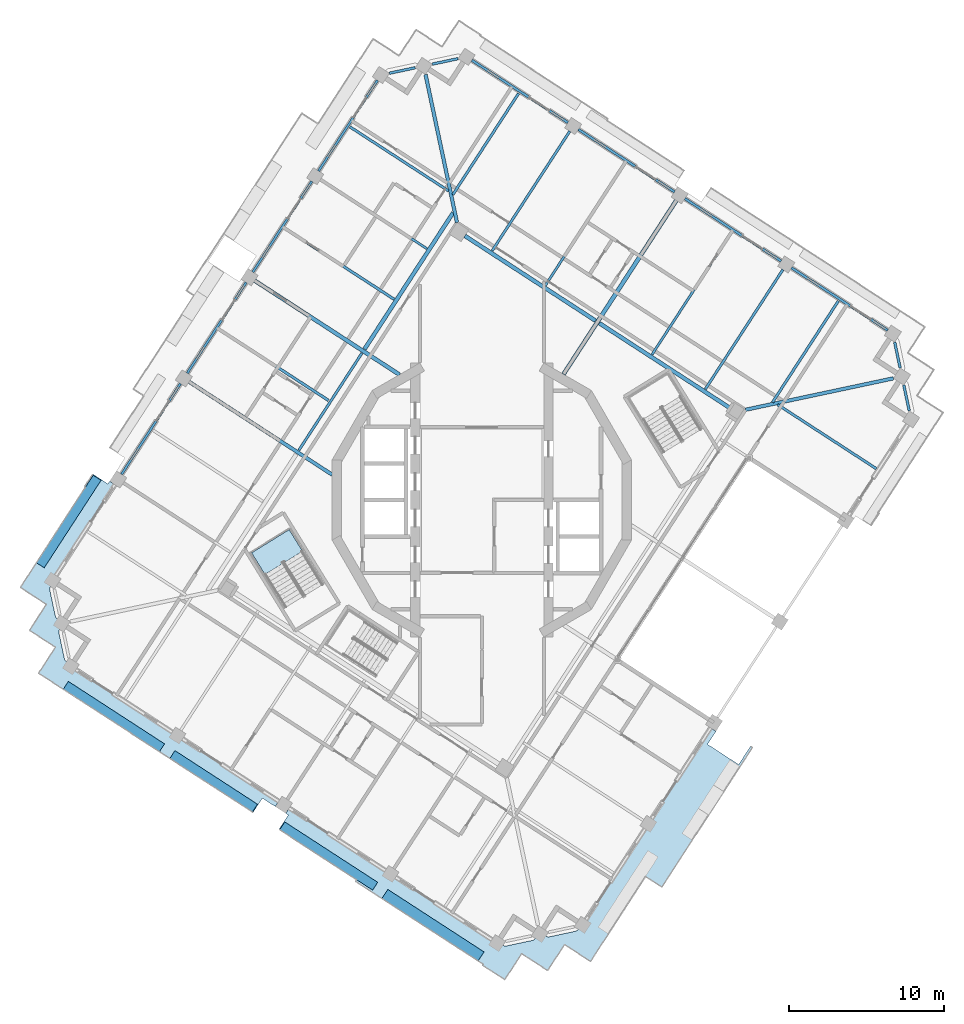
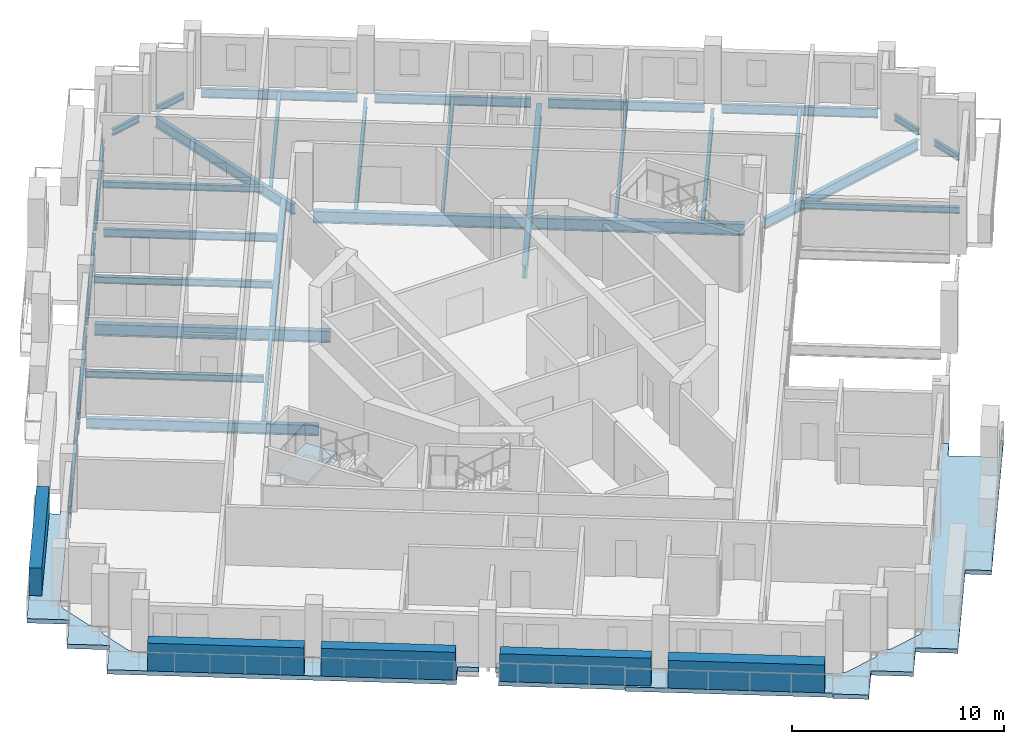
# One storey, part 3 of 17: 32 beams, 5 plates, 3 slabs, 1 element without a shape of its own.
"""IFC4 building model written with IfcOpenShell, lengths in metres."""

from ifc_helpers import new_model, si_unit, direction, frame, origin, origin_2d, place, context, subcontext, project, spatial, polyline, rectangle, i_section, outline, extrude, material, layer, layer_set, material_profile, profile_set, type_object, element, aggregate, save


model = new_model("IFC4")

# Units and contexts
model_context = context("Model", 3, precision=1e-05, world=origin(), true_north=direction((0.0, 1.0)))
body_context = subcontext(model_context, "Body", "Model", "MODEL_VIEW")
ifc_project = project(units=[si_unit("LENGTHUNIT", "METRE"), si_unit("AREAUNIT", "SQUARE_METRE"), si_unit("VOLUMEUNIT", "CUBIC_METRE"), si_unit("PLANEANGLEUNIT", "RADIAN"), si_unit("MASSUNIT", "GRAM", prefix="KILO")], contexts=[model_context])

# Site, building, storey
site_placement = place(None, origin())
site = spatial("IfcSite", under=ifc_project, at=site_placement, CompositionType="ELEMENT")
building_placement = place(site_placement, origin())
building = spatial("IfcBuilding", under=site, at=building_placement, Name="Cantera Rosa Tower", CompositionType="ELEMENT")
storey_placement = place(building_placement, frame((0.0, 0.0, 268.5)))
storey = spatial("IfcBuildingStorey", under=building, at=storey_placement, Name="L60", CompositionType="ELEMENT", Elevation=268.5)

# Beams
ifc_material_1 = material(Name="Steel ASTM A992 (Fy 345 MPa)", Category="steel")
ifc_material_profile_1 = material_profile(ifc_material_1, i_section(OverallWidth=0.154052734375, OverallDepth=0.4599609375, WebThickness=0.009033203125, FlangeThickness=0.015380859375, FilletRadius=0.01025390625, at=origin_2d()), Name="W460X68")
ifc_profile_set_1 = profile_set([ifc_material_profile_1], Name="Steel ASTM A992 (Fy 345 MPa)")
beam_type_1 = type_object("IfcBeamType", Name="STEEL BEAM W460X68", PredefinedType="BEAM", material=ifc_profile_set_1)
beam_1_placement = place(storey_placement, frame((-10.41748046875, 20.68017578125, -0.47998046875), z_axis=(0.838672777751, -0.544635632198, 0.0), x_axis=(0.544635632198, 0.838672777751, 0.0)))
element("IfcBeam", 1, at=beam_1_placement, inside=storey, type_object=beam_type_1, Name="G-Z5-04 L60", PredefinedType="BEAM", context=body_context, shape_type="SweptSolid", body=[
    extrude(i_section(OverallWidth=0.154052734375, OverallDepth=0.4599609375, WebThickness=0.009033203125, FlangeThickness=0.015380859375, FilletRadius=0.01025390625, at=origin_2d()), origin(), (0.0, 0.0, 1.0), 8.2001953125),
])
ifc_material_2 = material(Name="Steel ASTM A992 (Fy 345 MPa)", Category="steel")
ifc_material_profile_2 = material_profile(ifc_material_2, i_section(OverallWidth=0.166015625, OverallDepth=0.528076171875, WebThickness=0.009765625, FlangeThickness=0.013671875, FilletRadius=0.0126953125, at=origin_2d()), Name="W530X74")
ifc_profile_set_2 = profile_set([ifc_material_profile_2], Name="Steel ASTM A992 (Fy 345 MPa)")
beam_type_2 = type_object("IfcBeamType", Name="STEEL BEAM W530X74", PredefinedType="BEAM", material=ifc_profile_set_2)
beam_2_placement = place(storey_placement, frame((19.430908203125, 14.865234375, -0.513916015625), z_axis=(-0.544634776066, -0.838673333724, 0.0), x_axis=(0.838673333724, -0.544634776066, 0.0)))
element("IfcBeam", 2, at=beam_2_placement, inside=storey, type_object=beam_type_2, Name="G-Z5-01 L60", PredefinedType="BEAM", context=body_context, shape_type="SweptSolid", body=[
    extrude(i_section(OverallWidth=0.166015625, OverallDepth=0.528076171875, WebThickness=0.009765625, FlangeThickness=0.013671875, FilletRadius=0.0126953125, at=origin_2d()), origin(), (0.0, 0.0, 1.0), 9.19970703125),
])
beam_3_placement = place(storey_placement, frame((5.6767578125, 23.79736328125, -0.513916015625), z_axis=(-0.544622654601, -0.838681205283, 0.0), x_axis=(0.838681205283, -0.544622654601, 0.0)))
element("IfcBeam", 3, at=beam_3_placement, inside=storey, type_object=beam_type_2, Name="G-Z5-03 L60", PredefinedType="BEAM", context=body_context, shape_type="SweptSolid", body=[
    extrude(i_section(OverallWidth=0.166015625, OverallDepth=0.528076171875, WebThickness=0.009765625, FlangeThickness=0.013671875, FilletRadius=0.0126953125, at=origin_2d()), origin(), (0.0, 0.0, 1.0), 9.199951171875),
])
beam_4_placement = place(storey_placement, frame((-11.807373046875, 3.20849609375, -0.513916015625), z_axis=(0.544626910795, 0.838678441381, 0.0), x_axis=(-0.838678441381, 0.544626910795, 0.0)))
element("IfcBeam", 4, at=beam_4_placement, inside=storey, type_object=beam_type_2, Name="RB-Z5-02 L60", PredefinedType="BEAM", context=body_context, shape_type="SweptSolid", body=[
    extrude(i_section(OverallWidth=0.166015625, OverallDepth=0.528076171875, WebThickness=0.009765625, FlangeThickness=0.013671875, FilletRadius=0.0126953125, at=origin_2d()), origin(), (0.0, 0.0, 1.0), 7.479736328125),
])
ifc_material_3 = material(Name="Steel ASTM A992 (Fy 345 MPa)", Category="steel")
ifc_material_profile_3 = material_profile(ifc_material_3, i_section(OverallWidth=0.22802734375, OverallDepth=0.60205078125, WebThickness=0.010498046875, FlangeThickness=0.014892578125, FilletRadius=0.0126953125, at=origin_2d()), Name="W610X101")
ifc_profile_set_3 = profile_set([ifc_material_profile_3], Name="Steel ASTM A992 (Fy 345 MPa)")
beam_type_3 = type_object("IfcBeamType", Name="STEEL BEAM W610X101", PredefinedType="BEAM", material=ifc_profile_set_3)
for number, where, z_axis, x_axis, name in (
    (5, (-3.63134765625, 27.45751953125, -0.551025390625), (0.20790902572, -0.978148167214, 0.0), (0.978148167214, 0.20790902572, 0.0), "CB-Z5-01 L60"),
    (6, (26.560791015625, 7.8505859375, -0.551025390625), (-0.978148167214, -0.20790902572, 0.0), (0.20790902572, -0.978148167214, 0.0), "CB-Z5-04 L60"),
):
    element("IfcBeam", number, at=place(storey_placement, frame(where, z_axis=z_axis, x_axis=x_axis)), inside=storey, type_object=beam_type_3, Name=name, PredefinedType="BEAM", context=body_context, shape_type="SweptSolid", body=[
        extrude(i_section(OverallWidth=0.22802734375, OverallDepth=0.60205078125, WebThickness=0.010498046875, FlangeThickness=0.014892578125, FilletRadius=0.0126953125, at=origin_2d()), origin(), (0.0, 0.0, 1.0), 9.758056640625),
    ])
ifc_material_4 = material(Name="Steel ASTM A992 (Fy 345 MPa)", Category="steel")
ifc_material_profile_4 = material_profile(ifc_material_4, i_section(OverallWidth=0.22900390625, OverallDepth=0.612060546875, WebThickness=0.011962890625, FlangeThickness=0.01953125, FilletRadius=0.0126953125, at=origin_2d()), Name="W610X125")
ifc_profile_set_4 = profile_set([ifc_material_profile_4], Name="Steel ASTM A992 (Fy 345 MPa)")
beam_type_4 = type_object("IfcBeamType", Name="STEEL BEAM W610X125", PredefinedType="BEAM", material=ifc_profile_set_4)
beam_5_placement = place(storey_placement, frame((-18.89208984375, 7.63037109375, -0.555908203125), z_axis=(0.838673569952, -0.544634412302, 0.0), x_axis=(0.544634412302, 0.838673569952, 0.0)))
element("IfcBeam", 7, at=beam_5_placement, inside=storey, type_object=beam_type_4, Name="G-Z5-06 L60", PredefinedType="BEAM", context=body_context, shape_type="SweptSolid", body=[
    extrude(i_section(OverallWidth=0.22900390625, OverallDepth=0.612060546875, WebThickness=0.011962890625, FlangeThickness=0.01953125, FilletRadius=0.0126953125, at=origin_2d()), origin(), (0.0, 0.0, 1.0), 11.009033203125),
])
ifc_material_5 = material(Name="Steel ASTM A992 (Fy 345 MPa)", Category="steel")
ifc_material_profile_5 = material_profile(ifc_material_5, i_section(OverallWidth=0.25390625, OverallDepth=0.677978515625, WebThickness=0.01171875, FlangeThickness=0.016357421875, FilletRadius=0.01513671875, at=origin_2d()), Name="W690X125")
ifc_profile_set_5 = profile_set([ifc_material_profile_5], Name="Steel ASTM A992 (Fy 345 MPa)")
beam_type_5 = type_object("IfcBeamType", Name="STEEL BEAM W690X125", PredefinedType="BEAM", material=ifc_profile_set_5)
beam_6_placement = place(storey_placement, frame((-14.65478515625, 14.1552734375, -0.589111328125), z_axis=(0.838661833747, -0.544652484265, 0.0), x_axis=(0.544652484265, 0.838661833747, 0.0)))
element("IfcBeam", 8, at=beam_6_placement, inside=storey, type_object=beam_type_5, Name="G-Z5-05 L60", PredefinedType="BEAM", context=body_context, shape_type="SweptSolid", body=[
    extrude(i_section(OverallWidth=0.25390625, OverallDepth=0.677978515625, WebThickness=0.01171875, FlangeThickness=0.016357421875, FilletRadius=0.01513671875, at=origin_2d()), origin(), (0.0, 0.0, 1.0), 11.141357421875),
])
beam_7_placement = place(storey_placement, frame((-7.570068359375, 9.733154296875, -0.589111328125), z_axis=(0.544635575355, 0.838672814665, 0.0), x_axis=(-0.838672814665, 0.544635575355, 0.0)))
element("IfcBeam", 9, at=beam_7_placement, inside=storey, type_object=beam_type_5, Name="RB-Z5-03 L60", PredefinedType="BEAM", context=body_context, shape_type="SweptSolid", body=[
    extrude(i_section(OverallWidth=0.25390625, OverallDepth=0.677978515625, WebThickness=0.01171875, FlangeThickness=0.016357421875, FilletRadius=0.01513671875, at=origin_2d()), origin(), (0.0, 0.0, 1.0), 10.510009765625),
])
beam_8_placement = place(storey_placement, frame((16.01611328125, 5.9345703125, -0.589111328125), z_axis=(-0.838672207367, 0.544636510519, 0.0), x_axis=(-0.544636510519, -0.838672207367, 0.0)))
element("IfcBeam", 10, at=beam_8_placement, inside=storey, type_object=beam_type_5, Name="RB-Z5-07 L60", PredefinedType="BEAM", context=body_context, shape_type="SweptSolid", body=[
    extrude(i_section(OverallWidth=0.25390625, OverallDepth=0.677978515625, WebThickness=0.01171875, FlangeThickness=0.016357421875, FilletRadius=0.01513671875, at=origin_2d()), origin(), (0.0, 0.0, 1.0), 10.050048828125),
])
beam_9_placement = place(storey_placement, frame((7.335693359375, 11.571533203125, -0.589111328125), z_axis=(-0.838665001306, 0.544647606792, 0.0), x_axis=(-0.544647606792, -0.838665001306, 0.0)))
element("IfcBeam", 11, at=beam_9_placement, inside=storey, type_object=beam_type_5, Name="RB-Z5-08 L60", PredefinedType="BEAM", context=body_context, shape_type="SweptSolid", body=[
    extrude(i_section(OverallWidth=0.25390625, OverallDepth=0.677978515625, WebThickness=0.01171875, FlangeThickness=0.016357421875, FilletRadius=0.01513671875, at=origin_2d()), origin(), (0.0, 0.0, 1.0), 10.0498046875),
])
ifc_material_6 = material(Name="Steel ASTM A992 (Fy 345 MPa)", Category="steel")
ifc_material_profile_6 = material_profile(ifc_material_6, i_section(OverallWidth=0.26708984375, OverallDepth=0.75390625, WebThickness=0.01318359375, FlangeThickness=0.01708984375, FilletRadius=0.0166015625, at=origin_2d()), Name="W760X147")
ifc_profile_set_6 = profile_set([ifc_material_profile_6], Name="Steel ASTM A992 (Fy 345 MPa)")
beam_type_6 = type_object("IfcBeamType", Name="STEEL BEAM W760X147", PredefinedType="BEAM", material=ifc_profile_set_6)
beam_10_placement = place(storey_placement, frame((12.553955078125, 19.331298828125, -0.626953125), z_axis=(-0.54464061985, -0.838669538739, 0.0), x_axis=(0.838669538739, -0.54464061985, 0.0)))
element("IfcBeam", 12, at=beam_10_placement, inside=storey, type_object=beam_type_6, Name="G-Z5-02 L60", PredefinedType="BEAM", context=body_context, shape_type="SweptSolid", body=[
    extrude(i_section(OverallWidth=0.26708984375, OverallDepth=0.75390625, WebThickness=0.01318359375, FlangeThickness=0.01708984375, FilletRadius=0.0166015625, at=origin_2d()), origin(), (0.0, 0.0, 1.0), 13.37744140625),
])
ifc_material_7 = material(Name="Steel ASTM A992 (Fy 345 MPa)", Category="steel")
ifc_material_profile_7 = material_profile(ifc_material_7, i_section(OverallWidth=0.1708984375, OverallDepth=0.35595703125, WebThickness=0.00732421875, FlangeThickness=0.01171875, FilletRadius=0.010009765625, at=origin_2d()), Name="W360X51")
ifc_profile_set_7 = profile_set([ifc_material_profile_7], Name="Steel ASTM A992 (Fy 345 MPa)")
beam_type_7 = type_object("IfcBeamType", Name="STEEL JOIST W360X51", PredefinedType="JOIST", material=ifc_profile_set_7)
for number, where, z_axis, x_axis, name in (
    (13, (23.005859375, 12.842041015625, -0.427978515625), (-0.544641754757, -0.838668801718, 0.0), (0.838668801718, -0.544641754757, 0.0), "B-Z5-01 L60"),
    (14, (2.37451171875, 26.239990234375, -0.427978515625), (-0.54465605183, -0.838659516851, 0.0), (0.838659516851, -0.54465605183, 0.0), "B-Z5-04 L60"),
):
    element("IfcBeam", number, at=place(storey_placement, frame(where, z_axis=z_axis, x_axis=x_axis)), inside=storey, type_object=beam_type_7, Name=name, PredefinedType="JOIST", context=body_context, shape_type="SweptSolid", body=[
        extrude(i_section(OverallWidth=0.1708984375, OverallDepth=0.35595703125, WebThickness=0.00732421875, FlangeThickness=0.01171875, FilletRadius=0.010009765625, at=origin_2d()), origin(), (0.0, 0.0, 1.0), 7.800048828125),
    ])
beam_11_placement = place(storey_placement, frame((-8.508544921875, 24.07861328125, -0.427978515625), z_axis=(0.838670629323, -0.544638940502, 0.0), x_axis=(0.544638940502, 0.838670629323, 0.0)))
element("IfcBeam", 15, at=beam_11_placement, inside=storey, type_object=beam_type_7, Name="B-Z5-05 L60", PredefinedType="JOIST", context=body_context, shape_type="SweptSolid", body=[
    extrude(i_section(OverallWidth=0.1708984375, OverallDepth=0.35595703125, WebThickness=0.00732421875, FlangeThickness=0.01171875, FilletRadius=0.010009765625, at=origin_2d()), origin(), (0.0, 0.0, 1.0), 7.58984375),
])
beam_12_placement = place(storey_placement, frame((25.457763671875, 2.020751953125, -0.427978515625), z_axis=(-0.838680170462, 0.54462424815, 0.0), x_axis=(-0.54462424815, -0.838680170462, 0.0)))
element("IfcBeam", 16, at=beam_12_placement, inside=storey, type_object=beam_type_7, Name="B-Z5-14 L60", PredefinedType="JOIST", context=body_context, shape_type="SweptSolid", body=[
    extrude(i_section(OverallWidth=0.1708984375, OverallDepth=0.35595703125, WebThickness=0.00732421875, FlangeThickness=0.01171875, FilletRadius=0.010009765625, at=origin_2d()), origin(), (0.0, 0.0, 1.0), 7.590087890625),
])
ifc_material_8 = material(Name="Steel ASTM A992 (Fy 345 MPa)", Category="steel")
ifc_material_profile_8 = material_profile(ifc_material_8, i_section(OverallWidth=0.177978515625, OverallDepth=0.406005859375, WebThickness=0.0078125, FlangeThickness=0.0126953125, FilletRadius=0.01025390625, at=origin_2d()), Name="W410X60")
ifc_profile_set_8 = profile_set([ifc_material_profile_8], Name="Steel ASTM A992 (Fy 345 MPa)")
beam_type_8 = type_object("IfcBeamType", Name="STEEL JOIST W410X60", PredefinedType="JOIST", material=ifc_profile_set_8)
beam_13_placement = place(storey_placement, frame((-12.745849609375, 17.5537109375, -0.452880859375), z_axis=(0.838683812595, -0.5446186395, 0.0), x_axis=(0.5446186395, 0.838683812595, 0.0)))
element("IfcBeam", 17, at=beam_13_placement, inside=storey, type_object=beam_type_8, Name="B-Z5-06 L60", PredefinedType="JOIST", context=body_context, shape_type="SweptSolid", body=[
    extrude(i_section(OverallWidth=0.177978515625, OverallDepth=0.406005859375, WebThickness=0.0078125, FlangeThickness=0.0126953125, FilletRadius=0.01025390625, at=origin_2d()), origin(), (0.0, 0.0, 1.0), 8.449951171875),
])
beam_14_placement = place(storey_placement, frame((-16.983154296875, 11.029052734375, -0.452880859375), z_axis=(0.838670615657, -0.544638961546, 0.0), x_axis=(0.544638961546, 0.838670615657, 0.0)))
element("IfcBeam", 18, at=beam_14_placement, inside=storey, type_object=beam_type_8, Name="B-Z5-07 L60", PredefinedType="JOIST", context=body_context, shape_type="SweptSolid", body=[
    extrude(i_section(OverallWidth=0.177978515625, OverallDepth=0.406005859375, WebThickness=0.0078125, FlangeThickness=0.0126953125, FilletRadius=0.01025390625, at=origin_2d()), origin(), (0.0, 0.0, 1.0), 8.4501953125),
])
ifc_material_9 = material(Name="Steel ASTM A992 (Fy 345 MPa)", Category="steel")
ifc_material_profile_9 = material_profile(ifc_material_9, i_section(OverallWidth=0.154052734375, OverallDepth=0.4599609375, WebThickness=0.009033203125, FlangeThickness=0.015380859375, FilletRadius=0.01025390625, at=origin_2d()), Name="W460X68")
ifc_profile_set_9 = profile_set([ifc_material_profile_9], Name="Steel ASTM A992 (Fy 345 MPa)")
beam_type_9 = type_object("IfcBeamType", Name="STEEL JOIST W460X68", PredefinedType="JOIST", material=ifc_profile_set_9)
beam_15_placement = place(storey_placement, frame((16.128662109375, 17.30810546875, -0.47998046875), z_axis=(-0.544644146603, -0.838667248419, 0.0), x_axis=(0.838667248419, -0.544644146603, 0.0)))
element("IfcBeam", 19, at=beam_15_placement, inside=storey, type_object=beam_type_9, Name="B-Z5-02 L60", PredefinedType="JOIST", context=body_context, shape_type="SweptSolid", body=[
    extrude(i_section(OverallWidth=0.154052734375, OverallDepth=0.4599609375, WebThickness=0.009033203125, FlangeThickness=0.015380859375, FilletRadius=0.01025390625, at=origin_2d()), origin(), (0.0, 0.0, 1.0), 9.4501953125),
])
beam_16_placement = place(storey_placement, frame((9.25146484375, 21.77392578125, -0.47998046875), z_axis=(-0.544637775879, -0.838671385636, 0.0), x_axis=(0.838671385636, -0.544637775879, 0.0)))
element("IfcBeam", 20, at=beam_16_placement, inside=storey, type_object=beam_type_9, Name="B-Z5-03 L60", PredefinedType="JOIST", context=body_context, shape_type="SweptSolid", body=[
    extrude(i_section(OverallWidth=0.154052734375, OverallDepth=0.4599609375, WebThickness=0.009033203125, FlangeThickness=0.015380859375, FilletRadius=0.01025390625, at=origin_2d()), origin(), (0.0, 0.0, 1.0), 9.44970703125),
])
ifc_material_10 = material(Name="Steel ASTM A992 (Fy 345 MPa)", Category="steel")
ifc_material_profile_10 = material_profile(ifc_material_10, i_section(OverallWidth=0.1708984375, OverallDepth=0.35595703125, WebThickness=0.00732421875, FlangeThickness=0.01171875, FilletRadius=0.010009765625, at=origin_2d()), Name="W360X51")
ifc_profile_set_10 = profile_set([ifc_material_profile_10], Name="Steel ASTM A992 (Fy 345 MPa)")
beam_type_10 = type_object("IfcBeamType", Name="STEEL SPANDREL BEAM W360X51", PredefinedType="SPANDREL", material=ifc_profile_set_10)
for number, where, z_axis, x_axis, name in (
    (21, (-1.53564453125, 28.481201171875, -0.427978515625), (-0.978158850918, -0.20785875582, 0.0), (0.20785875582, -0.978158850918, 0.0), "EB-Z5-05 L60"),
    (22, (-4.30224609375, 27.893310546875, -0.427978515625), (-0.978129595322, -0.207996381593, 0.0), (0.207996381593, -0.978129595322, 0.0), "EB-Z5-06 L60"),
):
    element("IfcBeam", number, at=place(storey_placement, frame(where, z_axis=z_axis, x_axis=x_axis)), inside=storey, type_object=beam_type_10, Name=name, PredefinedType="SPANDREL", context=body_context, shape_type="SweptSolid", body=[
        extrude(i_section(OverallWidth=0.1708984375, OverallDepth=0.35595703125, WebThickness=0.00732421875, FlangeThickness=0.01171875, FilletRadius=0.010009765625, at=origin_2d()), origin(), (0.0, 0.0, 1.0), 1.697265625),
    ])
for number, where, z_axis, x_axis, name in (
    (23, (27.58447265625, 5.7548828125, -0.427978515625), (-0.207888006632, 0.978152634663, 0.0), (-0.978152634663, -0.207888006632, 0.0), "EB-Z5-25 L60"),
    (24, (26.996337890625, 8.521484375, -0.427978515625), (-0.207888006632, 0.978152634663, 0.0), (-0.978152634663, -0.207888006632, 0.0), "EB-Z5-26 L60"),
):
    element("IfcBeam", number, at=place(storey_placement, frame(where, z_axis=z_axis, x_axis=x_axis)), inside=storey, type_object=beam_type_10, Name=name, PredefinedType="SPANDREL", context=body_context, shape_type="SweptSolid", body=[
        extrude(i_section(OverallWidth=0.1708984375, OverallDepth=0.35595703125, WebThickness=0.00732421875, FlangeThickness=0.01171875, FilletRadius=0.010009765625, at=origin_2d()), origin(), (0.0, 0.0, 1.0), 1.697021484375),
    ])
ifc_material_11 = material(Name="Steel ASTM A992 (Fy 345 MPa)", Category="steel")
ifc_material_profile_11 = material_profile(ifc_material_11, i_section(OverallWidth=0.154052734375, OverallDepth=0.4599609375, WebThickness=0.009033203125, FlangeThickness=0.015380859375, FilletRadius=0.01025390625, at=origin_2d()), Name="W460X68")
ifc_profile_set_11 = profile_set([ifc_material_profile_11], Name="Steel ASTM A992 (Fy 345 MPa)")
beam_type_11 = type_object("IfcBeamType", Name="STEEL SPANDREL BEAM W460X68", PredefinedType="SPANDREL", material=ifc_profile_set_11)
for number, where, z_axis, x_axis, name in (
    (25, (-6.7333984375, 27.08740234375, -0.47998046875), (-0.544651451949, -0.838662504164, 0.0), (0.838662504164, -0.544651451949, 0.0), "EB-Z5-07 L60"),
    (26, (-10.970703125, 20.5625, -0.47998046875), (-0.544651451949, -0.838662504164, 0.0), (0.838662504164, -0.544651451949, 0.0), "EB-Z5-08 L60"),
    (27, (-15.2080078125, 14.03759765625, -0.47998046875), (-0.544651451949, -0.838662504164, 0.0), (0.838662504164, -0.544651451949, 0.0), "EB-Z5-09 L60"),
):
    element("IfcBeam", number, at=place(storey_placement, frame(where, z_axis=z_axis, x_axis=x_axis)), inside=storey, type_object=beam_type_11, Name=name, PredefinedType="SPANDREL", context=body_context, shape_type="SweptSolid", body=[
        extrude(i_section(OverallWidth=0.154052734375, OverallDepth=0.4599609375, WebThickness=0.009033203125, FlangeThickness=0.015380859375, FilletRadius=0.01025390625, at=origin_2d()), origin(), (0.0, 0.0, 1.0), 6.980224609375),
    ])
beam_17_placement = place(storey_placement, frame((-19.4453125, 7.5126953125, -0.47998046875), z_axis=(-0.544667428764, -0.838652128146, 0.0), x_axis=(0.838652128146, -0.544667428764, 0.0)))
element("IfcBeam", 28, at=beam_17_placement, inside=storey, type_object=beam_type_11, Name="EB-Z5-10 L60", PredefinedType="SPANDREL", context=body_context, shape_type="SweptSolid", body=[
    extrude(i_section(OverallWidth=0.154052734375, OverallDepth=0.4599609375, WebThickness=0.009033203125, FlangeThickness=0.015380859375, FilletRadius=0.01025390625, at=origin_2d()), origin(), (0.0, 0.0, 1.0), 6.97998046875),
])
ifc_material_12 = material(Name="Steel ASTM A992 (Fy 345 MPa)", Category="steel")
ifc_material_profile_12 = material_profile(ifc_material_12, i_section(OverallWidth=0.166015625, OverallDepth=0.528076171875, WebThickness=0.009765625, FlangeThickness=0.013671875, FilletRadius=0.0126953125, at=origin_2d()), Name="W530X74")
ifc_profile_set_12 = profile_set([ifc_material_profile_12], Name="Steel ASTM A992 (Fy 345 MPa)")
beam_type_12 = type_object("IfcBeamType", Name="STEEL SPANDREL BEAM W530X74", PredefinedType="SPANDREL", material=ifc_profile_set_12)
beam_18_placement = place(storey_placement, frame((26.1904296875, 10.95263671875, -0.513916015625), z_axis=(-0.838669679097, 0.544640403719, 0.0), x_axis=(-0.544640403719, -0.838669679097, 0.0)))
element("IfcBeam", 29, at=beam_18_placement, inside=storey, type_object=beam_type_12, Name="EB-Z5-01 L60", PredefinedType="SPANDREL", context=body_context, shape_type="SweptSolid", body=[
    extrude(i_section(OverallWidth=0.166015625, OverallDepth=0.528076171875, WebThickness=0.009765625, FlangeThickness=0.013671875, FilletRadius=0.0126953125, at=origin_2d()), origin(), (0.0, 0.0, 1.0), 7.39990234375),
])
beam_19_placement = place(storey_placement, frame((19.3134765625, 15.418701171875, -0.513916015625), z_axis=(-0.838679465365, 0.544625333946, 0.0), x_axis=(-0.544625333946, -0.838679465365, 0.0)))
element("IfcBeam", 30, at=beam_19_placement, inside=storey, type_object=beam_type_12, Name="EB-Z5-02 L60", PredefinedType="SPANDREL", context=body_context, shape_type="SweptSolid", body=[
    extrude(i_section(OverallWidth=0.166015625, OverallDepth=0.528076171875, WebThickness=0.009765625, FlangeThickness=0.013671875, FilletRadius=0.0126953125, at=origin_2d()), origin(), (0.0, 0.0, 1.0), 7.400146484375),
])
beam_20_placement = place(storey_placement, frame((12.436279296875, 19.884765625, -0.513916015625), z_axis=(-0.838669679097, 0.544640403719, 0.0), x_axis=(-0.544640403719, -0.838669679097, 0.0)))
element("IfcBeam", 31, at=beam_20_placement, inside=storey, type_object=beam_type_12, Name="EB-Z5-03 L60", PredefinedType="SPANDREL", context=body_context, shape_type="SweptSolid", body=[
    extrude(i_section(OverallWidth=0.166015625, OverallDepth=0.528076171875, WebThickness=0.009765625, FlangeThickness=0.013671875, FilletRadius=0.0126953125, at=origin_2d()), origin(), (0.0, 0.0, 1.0), 7.39990234375),
])
beam_21_placement = place(storey_placement, frame((5.559326171875, 24.350830078125, -0.513916015625), z_axis=(-0.838679465365, 0.544625333946, 0.0), x_axis=(-0.544625333946, -0.838679465365, 0.0)))
element("IfcBeam", 32, at=beam_21_placement, inside=storey, type_object=beam_type_12, Name="EB-Z5-04 L60", PredefinedType="SPANDREL", context=body_context, shape_type="SweptSolid", body=[
    extrude(i_section(OverallWidth=0.166015625, OverallDepth=0.528076171875, WebThickness=0.009765625, FlangeThickness=0.013671875, FilletRadius=0.0126953125, at=origin_2d()), origin(), (0.0, 0.0, 1.0), 7.400146484375),
])

# Slabs
ifc_material_13 = material(Name="Concrete C35/45", Category="concrete")
ifc_layer_1 = layer(ifc_material_13, 0.25)
ifc_layer_set_1 = layer_set([ifc_layer_1], Name="LOGGIA SLAB 250 C35/45")
slab_type_1 = type_object("IfcSlabType", Name="LOGGIA SLAB 250 C35/45", PredefinedType="FLOOR", material=ifc_layer_set_1)
slab_1_placement = place(storey_placement, frame((0.0, 0.0, -0.25)))
element("IfcSlab", 33, at=slab_1_placement, inside=storey, type_object=slab_type_1, Name="LOGGIA SLAB L60 1", PredefinedType="FLOOR", context=body_context, shape_type="SweptSolid", body=[
    extrude(outline(polyline([(-21.723876953125, -15.641845703125), (-27.343017578125, -11.992919921875), (-28.600830078125, -11.17578125), (-27.783935546875, -9.917724609375), (-27.51171875, -9.49853515625), (-27.930908203125, -9.22607421875), (-29.18896484375, -8.4091796875), (-28.3720703125, -7.151123046875), (-28.099609375, -6.731689453125), (-28.51904296875, -6.45947265625), (-29.777099609375, -5.642578125), (-28.960205078125, -4.384521484375), (-25.57861328125, 0.822509765625), (-25.638671875, 0.861328125), (-25.109619140625, 1.676025390625), (-24.127197265625, 1.0380859375), (-24.01806640625, 1.205810546875), (-23.6826171875, 0.98779296875), (-27.13330078125, -4.32568359375), (-27.7021484375, -5.201416015625), (-27.863037109375, -5.643798828125), (-27.872802734375, -5.67138671875), (-27.87939453125, -5.7001953125), (-27.88330078125, -5.729248046875), (-27.884521484375, -5.7587890625), (-27.882568359375, -5.7880859375), (-27.8779296875, -5.817138671875), (-27.525146484375, -7.477294921875), (-27.517578125, -7.505615234375), (-27.50732421875, -7.533203125), (-27.494384765625, -7.559814453125), (-27.47900390625, -7.584716796875), (-27.461181640625, -7.608154296875), (-27.44091796875, -7.629638671875), (-27.114013671875, -7.968017578125), (-27.275146484375, -8.410400390625), (-27.28466796875, -8.43798828125), (-27.29150390625, -8.466796875), (-27.29541015625, -8.49609375), (-27.29638671875, -8.525390625), (-27.294677734375, -8.5546875), (-27.289794921875, -8.583740234375), (-26.93701171875, -10.243896484375), (-26.929443359375, -10.272216796875), (-26.919189453125, -10.2998046875), (-26.90625, -10.326416015625), (-26.890869140625, -10.351318359375), (-26.873046875, -10.374755859375), (-26.852783203125, -10.396240234375), (-26.52587890625, -10.734619140625), (-25.650146484375, -11.303466796875), (-13.107421875, -19.448974609375), (-13.3251953125, -19.784423828125), (-14.163818359375, -19.23974609375), (-14.762939453125, -20.162353515625), (-14.8466796875, -20.10791015625), (-19.207763671875, -17.275634765625), (-21.723876953125, -15.641845703125)])), origin(), (0.0, 0.0, 1.0), 0.25),
])
slab_2_placement = place(storey_placement, frame((0.0, 0.0, -0.25)))
element("IfcSlab", 34, at=slab_2_placement, inside=storey, type_object=slab_type_1, Name="LOGGIA SLAB L60 3", PredefinedType="FLOOR", context=body_context, shape_type="SweptSolid", body=[
    extrude(outline(polyline([(7.94140625, -28.3486328125), (7.015380859375, -29.7744140625), (5.58984375, -28.848388671875), (5.338134765625, -28.68505859375), (5.1748046875, -28.936767578125), (4.248779296875, -30.362548828125), (2.822998046875, -29.4365234375), (2.571533203125, -29.273193359375), (1.482421875, -30.950439453125), (0.056396484375, -30.024658203125), (0.0947265625, -29.9658203125), (-8.1494140625, -24.612060546875), (-8.07861328125, -24.503173828125), (-12.330810546875, -21.74169921875), (-13.08544921875, -21.251708984375), (-12.486328125, -20.3291015625), (-12.654296875, -20.22021484375), (-12.436279296875, -19.884765625), (0.106689453125, -28.030029296875), (0.982421875, -28.598876953125), (1.424560546875, -28.760009765625), (1.452392578125, -28.76953125), (1.481201171875, -28.7763671875), (1.51025390625, -28.7802734375), (1.539794921875, -28.78125), (1.569091796875, -28.779296875), (1.59814453125, -28.774658203125), (3.258056640625, -28.421875), (3.28662109375, -28.414306640625), (3.314208984375, -28.404052734375), (3.340576171875, -28.39111328125), (3.365478515625, -28.375732421875), (3.388916015625, -28.35791015625), (3.41064453125, -28.337890625), (3.7490234375, -28.0107421875), (4.191162109375, -28.171875), (4.218994140625, -28.181396484375), (4.247802734375, -28.188232421875), (4.27685546875, -28.192138671875), (4.306396484375, -28.193115234375), (4.335693359375, -28.19140625), (4.36474609375, -28.186767578125), (6.024658203125, -27.833740234375), (6.05322265625, -27.826416015625), (6.080810546875, -27.81591796875), (6.107177734375, -27.802978515625), (6.132080078125, -27.78759765625), (6.15576171875, -27.769775390625), (6.17724609375, -27.749755859375), (6.515625, -27.4228515625), (7.08447265625, -26.547119140625), (14.7724609375, -14.70849609375), (15.10791015625, -14.926513671875), (14.563232421875, -15.76513671875), (16.575927734375, -17.072265625), (17.33837890625, -15.898193359375), (17.462890625, -15.978759765625), (11.619873046875, -24.976318359375), (10.572998046875, -24.29638671875), (7.94140625, -28.3486328125)])), origin(), (0.0, 0.0, 1.0), 0.25),
])

# Plates
ifc_material_14 = material(Name="Cantera stone planter with soil", Category="masonry")
plate_type_1 = type_object("IfcPlateType", Name="PLANTER 600", PredefinedType="USERDEFINED", material=ifc_material_14)
plate_1_placement = place(storey_placement, frame((-26.657958984375, -1.390380859375, 0.0), z_axis=(0.0, 0.0, 1.0), x_axis=(-0.544639035015, -0.838670567945, 0.0)))
element("IfcPlate", 35, at=plate_1_placement, inside=storey, type_object=plate_type_1, Name="PLANTER L60-09", ObjectType="PLANTER", PredefinedType="USERDEFINED", context=body_context, shape_type="SweptSolid", body=[
    extrude(rectangle(XDim=6.72998046875, YDim=0.60009765625, at=origin_2d()), origin(), (0.0, 0.0, 1.0), 1.60009765625),
])
plate_2_placement = place(storey_placement, frame((-23.740966796875, -13.97412109375, 0.0), z_axis=(0.0, 0.0, 1.0), x_axis=(0.838670567945, -0.544639035015, 0.0)))
element("IfcPlate", 36, at=plate_2_placement, inside=storey, type_object=plate_type_1, Name="PLANTER L60-10", ObjectType="PLANTER", PredefinedType="USERDEFINED", context=body_context, shape_type="SweptSolid", body=[
    extrude(rectangle(XDim=7.39990234375, YDim=0.60009765625, at=origin_2d()), origin(), (0.0, 0.0, 1.0), 1.60009765625),
])
plate_3_placement = place(storey_placement, frame((-17.30419921875, -18.154296875, 0.0), z_axis=(0.0, 0.0, 1.0), x_axis=(0.838670567945, -0.544639035015, 0.0)))
element("IfcPlate", 37, at=plate_3_placement, inside=storey, type_object=plate_type_1, Name="PLANTER L60-11", ObjectType="PLANTER", PredefinedType="USERDEFINED", context=body_context, shape_type="SweptSolid", body=[
    extrude(rectangle(XDim=6.35009765625, YDim=0.60009765625, at=origin_2d()), origin(), (0.0, 0.0, 1.0), 1.60009765625),
])
plate_4_placement = place(storey_placement, frame((-9.882080078125, -22.974365234375, 0.0), z_axis=(0.0, 0.0, 1.0), x_axis=(0.838670567945, -0.544639035015, 0.0)))
element("IfcPlate", 38, at=plate_4_placement, inside=storey, type_object=plate_type_1, Name="PLANTER L60-12", ObjectType="PLANTER", PredefinedType="USERDEFINED", context=body_context, shape_type="SweptSolid", body=[
    extrude(rectangle(XDim=7.14990234375, YDim=0.60009765625, at=origin_2d()), origin(), (0.0, 0.0, 1.0), 1.60009765625),
])
ifc_material_15 = material(Name="Cantera stone planter with soil", Category="masonry")
plate_type_2 = type_object("IfcPlateType", Name="PLANTER 700", PredefinedType="USERDEFINED", material=ifc_material_15)
plate_5_placement = place(storey_placement, frame((-3.1533203125, -27.439453125, 0.0), z_axis=(0.0, 0.0, 1.0), x_axis=(0.838670567945, -0.544639035015, 0.0)))
element("IfcPlate", 39, at=plate_5_placement, inside=storey, type_object=plate_type_2, Name="PLANTER L60-13", ObjectType="PLANTER", PredefinedType="USERDEFINED", context=body_context, shape_type="SweptSolid", body=[
    extrude(rectangle(XDim=7.39990234375, YDim=0.699951171875, at=origin_2d()), origin(), (0.0, 0.0, 1.0), 1.60009765625),
])

# Stair, slab
ifc_material_16 = material(Name="Concrete C35/45", Category="concrete")
stair_type = type_object("IfcStairType", Name="EXIT STAIR 1350 DOGLEG", PredefinedType="HALF_TURN_STAIR", material=ifc_material_16)
stair_placement = place(storey_placement, origin())
stair = element("IfcStair", 40, at=stair_placement, inside=storey, type_object=stair_type, Name="L60 ST-52", PredefinedType="HALF_TURN_STAIR")
ifc_material_17 = material(Name="Concrete C35/45", Category="concrete")
ifc_layer_2 = layer(ifc_material_17, 0.199951171875)
ifc_layer_set_2 = layer_set([ifc_layer_2], Name="STAIR LANDING 200")
slab_type_2 = type_object("IfcSlabType", Name="STAIR LANDING 200", PredefinedType="LANDING", material=ifc_layer_set_2)
slab_3_placement = place(storey_placement, frame((0.0, 0.0, 1.60009765625)))
slab_3 = element("IfcSlab", 41, at=slab_3_placement, type_object=slab_type_2, Name="ST-52 landing 1", PredefinedType="LANDING", context=body_context, shape_type="SweptSolid", body=[
    extrude(outline(polyline([(-11.56884765625, -3.308837890625), (-12.430908203125, -1.911376953125), (-14.8564453125, -3.407470703125), (-13.99462890625, -4.80517578125), (-11.56884765625, -3.308837890625)])), origin(), (0.0, 0.0, 1.0), 0.199951171875),
])
aggregate(stair, [slab_3])

save(model, "model.ifc")
